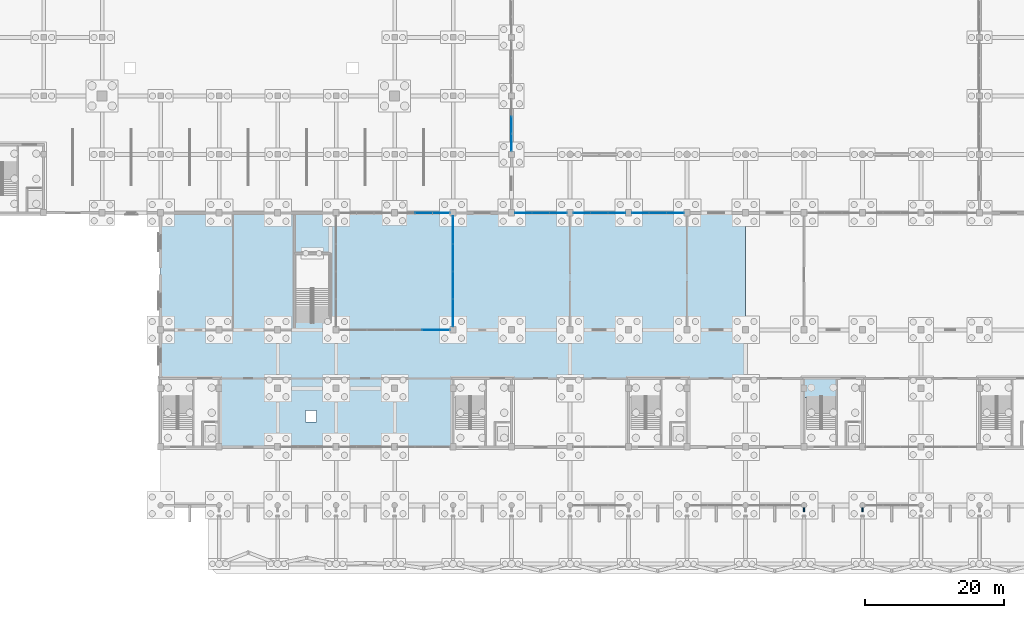
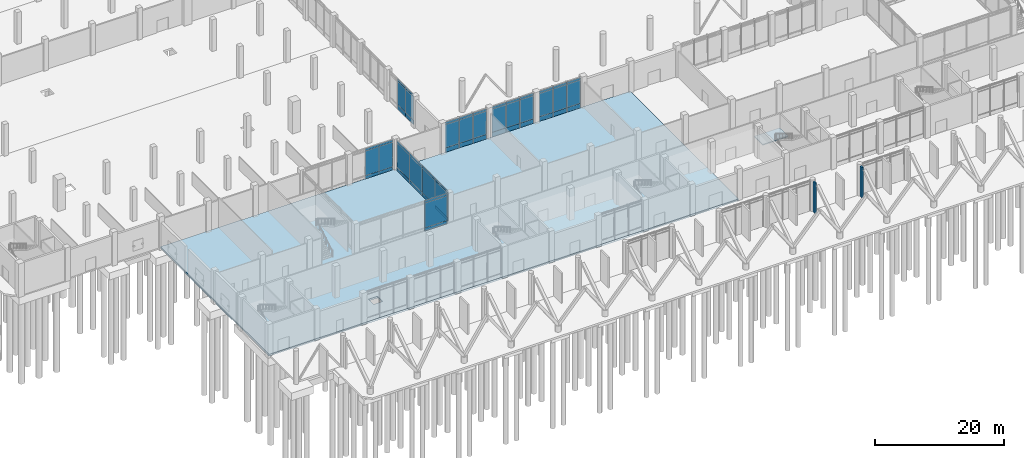
# One storey, part 42 of 72: 56 plates, 2 slabs, 8 elements without a shape of their own.
"""IFC4 building model written with IfcOpenShell, lengths in metres."""

import ifcopenshell
import ifcopenshell.guid

model = None  # the IFC model being written
_history = None  # IfcOwnerHistory: only IFC2X3 demands one
_inside = {}  # id of a spatial element -> (the spatial element, [elements in it])
_under = {}  # id of a project, library or spatial element -> (it, [spatial elements below it])
_declared = {}  # id of a project -> (the project, [libraries it declares])
_typed = {}  # id of a type object -> (the type object, [elements of that type])
_made_of = {}  # id of a material, layer set ... -> (it, [elements and type objects made of it])


def new_model(schema):
    """Start an empty IFC model of exactly this schema.

    Asked for "IFC4X3", IfcOpenShell would pick the latest addendum, in which some entities
    have other attributes; the version numbers below select the first issue.
    IFC2X3 requires an IfcOwnerHistory on every rooted entity: one is made here for all.
    """
    global model, _history
    if schema == "IFC4X3":
        model = ifcopenshell.file(schema_version=(4, 3, 0, 0))
    else:
        model = ifcopenshell.file(schema=schema)
    _inside.clear()
    _under.clear()
    _declared.clear()
    _typed.clear()
    _made_of.clear()
    _history = None
    if model.schema == "IFC2X3":
        org = make("IfcOrganization", Name="unknown")
        user = make(
            "IfcPersonAndOrganization",
            ThePerson=make("IfcPerson", FamilyName="unknown"),
            TheOrganization=org,
        )
        app = make(
            "IfcApplication",
            ApplicationDeveloper=org,
            Version="unknown",
            ApplicationFullName="unknown",
            ApplicationIdentifier="unknown",
        )
        _history = make(
            "IfcOwnerHistory",
            OwningUser=user,
            OwningApplication=app,
            ChangeAction="ADDED",
            CreationDate=0,
        )
    return model


def make(cls, **values):
    """One entity of the class cls with the attributes given. An attribute that is None is left unset."""
    return model.create_entity(
        cls, **{name: value for name, value in values.items() if value is not None}
    )


def rooted(cls, **values):
    """An entity with a GlobalId (a new one), such as an element, a storey or a relation."""
    return make(cls, GlobalId=ifcopenshell.guid.new(), OwnerHistory=_history, **values)


def si_unit(unit_type, name, prefix=None):
    """IfcSIUnit, for example si_unit("LENGTHUNIT", "METRE", prefix="MILLI")."""
    return make("IfcSIUnit", UnitType=unit_type, Prefix=prefix, Name=name)


def assignment(units):
    """IfcUnitAssignment: the units of a project."""
    return None if units is None else make("IfcUnitAssignment", Units=units)


def point(xyz):
    """IfcCartesianPoint."""
    return None if xyz is None else make("IfcCartesianPoint", Coordinates=xyz)


def direction(xyz):
    """IfcDirection."""
    return None if xyz is None else make("IfcDirection", DirectionRatios=xyz)


def frame(location, z_axis=None, x_axis=None):
    """IfcAxis2Placement3D, a coordinate frame: its origin and axes. An axis left out is left unset."""
    return make(
        "IfcAxis2Placement3D",
        Location=point(location),
        Axis=direction(z_axis),
        RefDirection=direction(x_axis),
    )


def frame_2d(location, x_axis=None):
    """IfcAxis2Placement2D, a coordinate frame in the plane: its origin and x axis."""
    return make(
        "IfcAxis2Placement2D", Location=point(location), RefDirection=direction(x_axis)
    )


def origin():
    """The frame at (0, 0, 0) with its axes left unset."""
    return frame((0.0, 0.0, 0.0))


def place(relative_to, where):
    """IfcLocalPlacement: puts the frame where relative to a parent placement (None: the world)."""
    return make(
        "IfcLocalPlacement", PlacementRelTo=relative_to, RelativePlacement=where
    )


def context(
    kind, dimensions, precision=None, world=None, true_north=None, identifier=None
):
    """IfcGeometricRepresentationContext, for example the 3D "Model" context."""
    return make(
        "IfcGeometricRepresentationContext",
        ContextIdentifier=identifier,
        ContextType=kind,
        CoordinateSpaceDimension=dimensions,
        Precision=precision,
        WorldCoordinateSystem=world,
        TrueNorth=true_north,
    )


def subcontext(parent, identifier, kind, view, scale=None):
    """IfcGeometricRepresentationSubContext, for example "Body" below "Model"."""
    return make(
        "IfcGeometricRepresentationSubContext",
        ContextIdentifier=identifier,
        ContextType=kind,
        ParentContext=parent,
        TargetScale=scale,
        TargetView=view,
    )


def project(units=None, contexts=None):
    """IfcProject with its units and contexts."""
    return rooted(
        "IfcProject",
        Name="project",
        RepresentationContexts=contexts,
        UnitsInContext=assignment(units),
    )


def spatial(cls, under=None, at=None, **own):
    """A site, building, storey or space (cls), placed at a placement, below another one or the project."""
    s = rooted(cls, ObjectPlacement=at, **own)
    if under is not None:
        _under.setdefault(under.id(), (under, []))[1].append(s)
    return s


def polyline(points):
    """IfcPolyline through the points."""
    return make("IfcPolyline", Points=[point(p) for p in points])


def profile(cls, at=None, kind="AREA", **sizes):
    """A parametric profile (cls). Its sizes go by their IFC names, for example OverallWidth=200.0."""
    return make(cls, ProfileType=kind, Position=at, **sizes)


def rectangle(**sizes):
    """IfcRectangleProfileDef."""
    return profile("IfcRectangleProfileDef", **sizes)


def outline(outer, holes=None, kind="AREA"):
    """IfcArbitraryClosedProfileDef: a profile drawn as a closed curve; with holes, ...WithVoids."""
    if holes is None:
        return make("IfcArbitraryClosedProfileDef", ProfileType=kind, OuterCurve=outer)
    return make(
        "IfcArbitraryProfileDefWithVoids",
        ProfileType=kind,
        OuterCurve=outer,
        InnerCurves=holes,
    )


def extrude(swept, where, along, depth):
    """IfcExtrudedAreaSolid: the profile swept, set in the frame where, extruded along a direction by depth."""
    return make(
        "IfcExtrudedAreaSolid",
        SweptArea=swept,
        Position=where,
        ExtrudedDirection=direction(along),
        Depth=depth,
    )


def shape(context_of_items, identifier, shape_type, items):
    """IfcShapeRepresentation: the items that make up one representation, for example the "Body"."""
    return make(
        "IfcShapeRepresentation",
        ContextOfItems=context_of_items,
        RepresentationIdentifier=identifier,
        RepresentationType=shape_type,
        Items=items,
    )


def material(Name=None, Category=None):
    """IfcMaterial."""
    return make("IfcMaterial", Name=Name, Category=Category)


def layer(
    of_material, thickness, ventilated=None, Name=None, Category=None, Priority=None
):
    """IfcMaterialLayer: one layer of a wall or slab, of a material (None: an air gap)."""
    return make(
        "IfcMaterialLayer",
        Material=of_material,
        LayerThickness=thickness,
        IsVentilated=ventilated,
        Name=Name,
        Category=Category,
        Priority=Priority,
    )


def layer_set(layers, Name=None):
    """IfcMaterialLayerSet."""
    return make("IfcMaterialLayerSet", MaterialLayers=layers, LayerSetName=Name)


def made_of(thing, what):
    """Note that an element or type object is made of a material, layer set ...; save() writes the relation."""
    if what is not None:
        _made_of.setdefault(what.id(), (what, []))[1].append(thing)
    return thing


def type_object(cls, material=None, **own):
    """A type object (cls), such as IfcWallType, which elements share."""
    return made_of(rooted(cls, **own), material)


def element(
    cls,
    number,
    at=None,
    inside=None,
    cuts=None,
    type_object=None,
    material=None,
    context=None,
    identifier="Body",
    shape_type=None,
    held_by="IfcProductDefinitionShape",
    body=None,
    shapes=None,
    **own,
):
    """One element of the class cls, such as IfcWall. Its Tag is "e" and its number.

    at: its placement. inside: the storey or other place that contains it. cuts: it is an
    opening in that element (IfcRelVoidsElement). A single representation is given by context,
    identifier, shape_type and body (its items); several are given by shapes. held_by: the class
    of the entity that holds the representations. save() writes the other relations.
    """
    e = rooted(cls, Tag="e%d" % number, ObjectPlacement=at, **own)
    if body is not None:
        shapes = [shape(context, identifier, shape_type, body)]
    if shapes is not None:
        e.Representation = make(held_by, Representations=shapes)
    if inside is not None:
        _inside.setdefault(inside.id(), (inside, []))[1].append(e)
    if cuts is not None:
        rooted(
            "IfcRelVoidsElement", RelatingBuildingElement=cuts, RelatedOpeningElement=e
        )
    if type_object is not None:
        _typed.setdefault(type_object.id(), (type_object, []))[1].append(e)
    return made_of(e, material)


def aggregate(whole, parts):
    """IfcRelAggregates: a whole, such as a stair, and the parts it consists of."""
    return rooted("IfcRelAggregates", RelatingObject=whole, RelatedObjects=parts)


def save(model, path):
    """Write the relations noted so far, then the file.

    IfcRelAggregates (storeys below a building ...), IfcRelContainedInSpatialStructure (elements
    in a storey), IfcRelDefinesByType, IfcRelAssociatesMaterial and IfcRelDeclares: one each for
    every whole, place, type object, material and project.
    """
    for whole, parts in _under.values():
        aggregate(whole, parts)
    for where, things in _inside.values():
        rooted(
            "IfcRelContainedInSpatialStructure",
            RelatedElements=things,
            RelatingStructure=where,
        )
    for kind, things in _typed.values():
        rooted("IfcRelDefinesByType", RelatedObjects=things, RelatingType=kind)
    for what, things in _made_of.values():
        rooted("IfcRelAssociatesMaterial", RelatedObjects=things, RelatingMaterial=what)
    for by, libraries in _declared.values():
        rooted("IfcRelDeclares", RelatingContext=by, RelatedDefinitions=libraries)
    model.write(path)


model = new_model("IFC4")

# Units and contexts
model_context = context("Model", 3, precision=1e-05, world=origin(), true_north=direction((0.0, 1.0)))
body_context = subcontext(model_context, "Body", "Model", "MODEL_VIEW")
ifc_project = project(units=[si_unit("LENGTHUNIT", "METRE"), si_unit("AREAUNIT", "SQUARE_METRE"), si_unit("VOLUMEUNIT", "CUBIC_METRE"), si_unit("PLANEANGLEUNIT", "RADIAN"), si_unit("MASSUNIT", "GRAM", prefix="KILO")], contexts=[model_context])

# Site, building, storey
site_placement = place(None, origin())
site = spatial("IfcSite", under=ifc_project, at=site_placement, CompositionType="ELEMENT")
building_placement = place(site_placement, origin())
building = spatial("IfcBuilding", under=site, at=building_placement, Name="Qawsi Khor Wholesale Market", CompositionType="ELEMENT")
storey_placement = place(building_placement, origin())
storey = spatial("IfcBuildingStorey", under=building, at=storey_placement, Name="L00", CompositionType="ELEMENT", Elevation=0.0)

# Slab
ifc_material_1 = material(Name="Concrete C45/55", Category="concrete")
ifc_layer_1 = layer(ifc_material_1, 0.360107421875, Name="Concrete C45/55")
ifc_layer_set_1 = layer_set([ifc_layer_1], Name="Concrete C45/55")
slab_type_1 = type_object("IfcSlabType", Name="Ground-Bearing Slab 360 C45/55", PredefinedType="BASESLAB", material=ifc_layer_set_1)
slab_1_placement = place(storey_placement, frame((0.0, 0.0, -0.360107421875)))
element("IfcSlab", 1, at=slab_1_placement, inside=storey, type_object=slab_type_1, Name="SLB-L00-SWING-W", PredefinedType="BASESLAB", context=body_context, shape_type="SweptSolid", body=[
    extrude(outline(polyline([(25.199951171875, 42.0), (109.199951171875, 42.0), (109.199951171875, 8.39990234375), (25.199951171875, 8.39990234375), (25.199951171875, 42.0)]), holes=[polyline([(47.60009765625, 12.0), (47.60009765625, 13.60009765625), (46.0, 13.60009765625), (46.0, 12.0), (47.60009765625, 12.0)])]), origin(), (0.0, 0.0, 1.0), 0.360107421875),
])

# Curtain wall, plate
ifc_material_2 = material(Name="Aluminium Anodised Bronze", Category="aluminium")
ifc_layer_2 = layer(ifc_material_2, 0.179931640625, Name="Aluminium Anodised Bronze")
ifc_layer_set_2 = layer_set([ifc_layer_2], Name="Aluminium Anodised Bronze")
curtain_wall_type_1 = type_object("IfcCurtainWallType", Name="Atrium Full-Height Curtain Wall CW-02", PredefinedType="NOTDEFINED", material=ifc_layer_set_2)
curtain_wall_1_placement = place(storey_placement, origin())
curtain_wall_1 = element("IfcCurtainWall", 2, at=curtain_wall_1_placement, inside=storey, type_object=curtain_wall_type_1, Name="Curtain wall CW-CW-02-L00-011", PredefinedType="NOTDEFINED")
ifc_material_3 = material(Name="Anodised Aluminium Spandrel", Category="aluminium")
ifc_layer_3 = layer(ifc_material_3, 0.06494140625, Name="Anodised Aluminium Spandrel")
ifc_layer_set_3 = layer_set([ifc_layer_3], Name="Anodised Aluminium Spandrel")
plate_type_1 = type_object("IfcPlateType", Name="Insulated Spandrel Panel CW-02 65mm", PredefinedType="CURTAIN_PANEL", material=ifc_layer_set_3)
plate_1_placement = place(storey_placement, frame((62.75244140625, 25.199951171875, 0.0048828125), z_axis=(0.0, 0.0, 1.0), x_axis=(1.0, 0.0, 0.0)))
plate_1 = element("IfcPlate", 3, at=plate_1_placement, type_object=plate_type_1, Name="Curtain panel CW-CW-02-L00-011-P0_03", PredefinedType="CURTAIN_PANEL", context=body_context, shape_type="SweptSolid", body=[
    extrude(rectangle(XDim=3.95263671875, YDim=0.06494140625, at=frame_2d((1.976318359375, 0.0))), origin(), (0.0, 0.0, 1.0), 0.590087890625),
])

# Curtain wall, plates
curtain_wall_2_placement = place(storey_placement, origin())
curtain_wall_2 = element("IfcCurtainWall", 4, at=curtain_wall_2_placement, inside=storey, type_object=curtain_wall_type_1, Name="Curtain wall CW-CW-02-L00-013", PredefinedType="NOTDEFINED")
plate_2_placement = place(storey_placement, frame((61.764892578125, 42.0, 0.0048828125), z_axis=(0.0, 0.0, 1.0), x_axis=(1.0, 0.0, 0.0)))
plate_2 = element("IfcPlate", 5, at=plate_2_placement, type_object=plate_type_1, Name="Curtain panel CW-CW-02-L00-013-P0_01", PredefinedType="CURTAIN_PANEL", context=body_context, shape_type="SweptSolid", body=[
    extrude(rectangle(XDim=2.47021484375, YDim=0.06494140625, at=frame_2d((1.235107421875, 0.0))), origin(), (0.0, 0.0, 1.0), 0.590087890625),
])
plate_3_placement = place(storey_placement, frame((64.235107421875, 42.0, 0.0048828125), z_axis=(0.0, 0.0, 1.0), x_axis=(1.0, 0.0, 0.0)))
plate_3 = element("IfcPlate", 6, at=plate_3_placement, type_object=plate_type_1, Name="Curtain panel CW-CW-02-L00-013-P0_02", PredefinedType="CURTAIN_PANEL", context=body_context, shape_type="SweptSolid", body=[
    extrude(rectangle(XDim=2.469970703125, YDim=0.06494140625, at=frame_2d((1.23486328125, 0.0))), origin(), (0.0, 0.0, 1.0), 0.590087890625),
])

curtain_wall_3_placement = place(storey_placement, origin())
curtain_wall_3 = element("IfcCurtainWall", 7, at=curtain_wall_3_placement, inside=storey, type_object=curtain_wall_type_1, Name="Curtain wall CW-CW-02-L00-015", PredefinedType="NOTDEFINED")
plate_4_placement = place(storey_placement, frame((67.199951171875, 25.695068359375, 0.0048828125), z_axis=(0.0, 0.0, 1.0), x_axis=(0.0, 1.0, 0.0)))
plate_4 = element("IfcPlate", 8, at=plate_4_placement, type_object=plate_type_1, Name="Curtain panel CW-CW-02-L00-015-P0_00", PredefinedType="CURTAIN_PANEL", context=body_context, shape_type="SweptSolid", body=[
    extrude(rectangle(XDim=3.952392578125, YDim=0.06494140625, at=frame_2d((1.97607421875, 0.0))), origin(), (0.0, 0.0, 1.0), 0.590087890625),
])
plate_5_placement = place(storey_placement, frame((67.199951171875, 29.6474609375, 0.0048828125), z_axis=(0.0, 0.0, 1.0), x_axis=(0.0, 1.0, 0.0)))
plate_5 = element("IfcPlate", 9, at=plate_5_placement, type_object=plate_type_1, Name="Curtain panel CW-CW-02-L00-015-P0_01", PredefinedType="CURTAIN_PANEL", context=body_context, shape_type="SweptSolid", body=[
    extrude(rectangle(XDim=3.95263671875, YDim=0.06494140625, at=frame_2d((1.976318359375, 0.0))), origin(), (0.0, 0.0, 1.0), 0.590087890625),
])
plate_6_placement = place(storey_placement, frame((67.199951171875, 33.60009765625, 0.0048828125), z_axis=(0.0, 0.0, 1.0), x_axis=(0.0, 1.0, 0.0)))
plate_6 = element("IfcPlate", 10, at=plate_6_placement, type_object=plate_type_1, Name="Curtain panel CW-CW-02-L00-015-P0_02", PredefinedType="CURTAIN_PANEL", context=body_context, shape_type="SweptSolid", body=[
    extrude(rectangle(XDim=3.952392578125, YDim=0.06494140625, at=frame_2d((1.97607421875, 0.0))), origin(), (0.0, 0.0, 1.0), 0.590087890625),
])
plate_7_placement = place(storey_placement, frame((67.199951171875, 37.552490234375, 0.0048828125), z_axis=(0.0, 0.0, 1.0), x_axis=(0.0, 1.0, 0.0)))
plate_7 = element("IfcPlate", 11, at=plate_7_placement, type_object=plate_type_1, Name="Curtain panel CW-CW-02-L00-015-P0_03", PredefinedType="CURTAIN_PANEL", context=body_context, shape_type="SweptSolid", body=[
    extrude(rectangle(XDim=3.952392578125, YDim=0.06494140625, at=frame_2d((1.97607421875, 0.0))), origin(), (0.0, 0.0, 1.0), 0.590087890625),
])

ifc_layer_4 = layer(ifc_material_2, 0.199951171875, Name="Aluminium Anodised Bronze")
ifc_layer_set_4 = layer_set([ifc_layer_4], Name="Aluminium Anodised Bronze")
curtain_wall_type_2 = type_object("IfcCurtainWallType", Name="Trading Hall North-Light Curtain Wall CW-03", PredefinedType="NOTDEFINED", material=ifc_layer_set_4)
curtain_wall_4_placement = place(storey_placement, origin())
curtain_wall_4 = element("IfcCurtainWall", 12, at=curtain_wall_4_placement, inside=storey, type_object=curtain_wall_type_2, Name="Curtain wall CW-CW-03-L00-072", PredefinedType="NOTDEFINED")
ifc_layer_5 = layer(ifc_material_3, 0.074951171875, Name="Anodised Aluminium Spandrel")
ifc_layer_set_5 = layer_set([ifc_layer_5], Name="Anodised Aluminium Spandrel")
plate_type_2 = type_object("IfcPlateType", Name="Insulated Spandrel Panel CW-03 75mm", PredefinedType="CURTAIN_PANEL", material=ifc_layer_set_5)
plate_8_placement = place(storey_placement, frame((75.60009765625, 50.8974609375, 0.0048828125), z_axis=(0.0, 0.0, 1.0), x_axis=(0.0, 1.0, 0.0)))
plate_8 = element("IfcPlate", 13, at=plate_8_placement, type_object=plate_type_2, Name="Curtain panel CW-CW-03-L00-072-P0_00", PredefinedType="CURTAIN_PANEL", context=body_context, shape_type="SweptSolid", body=[
    extrude(rectangle(XDim=2.46826171875, YDim=0.074951171875, at=frame_2d((1.234130859375, 0.0))), origin(), (0.0, 0.0, 1.0), 0.840087890625),
])
plate_9_placement = place(storey_placement, frame((75.60009765625, 53.36572265625, 0.0048828125), z_axis=(0.0, 0.0, 1.0), x_axis=(0.0, 1.0, 0.0)))
plate_9 = element("IfcPlate", 14, at=plate_9_placement, type_object=plate_type_2, Name="Curtain panel CW-CW-03-L00-072-P0_01", PredefinedType="CURTAIN_PANEL", context=body_context, shape_type="SweptSolid", body=[
    extrude(rectangle(XDim=2.468505859375, YDim=0.074951171875, at=frame_2d((1.234375, 0.0))), origin(), (0.0, 0.0, 1.0), 0.840087890625),
])

ifc_layer_6 = layer(ifc_material_2, 0.169921875, Name="Aluminium Anodised Bronze")
ifc_layer_set_6 = layer_set([ifc_layer_6], Name="Aluminium Anodised Bronze")
curtain_wall_type_3 = type_object("IfcCurtainWallType", Name="Central Court Gallery Curtain Wall CW-05", PredefinedType="NOTDEFINED", material=ifc_layer_set_6)
curtain_wall_5_placement = place(storey_placement, origin())
curtain_wall_5 = element("IfcCurtainWall", 15, at=curtain_wall_5_placement, inside=storey, type_object=curtain_wall_type_3, Name="Curtain wall CW-CW-05-L00-054", PredefinedType="NOTDEFINED")
ifc_layer_7 = layer(ifc_material_3, 0.094970703125, Name="Anodised Aluminium Spandrel")
ifc_layer_set_7 = layer_set([ifc_layer_7], Name="Anodised Aluminium Spandrel")
plate_type_3 = type_object("IfcPlateType", Name="Insulated Spandrel Panel CW-05 95mm", PredefinedType="CURTAIN_PANEL", material=ifc_layer_set_7)
plate_10_placement = place(storey_placement, frame((76.10009765625, 42.0, 0.0048828125), z_axis=(0.0, 0.0, 1.0), x_axis=(1.0, 0.0, 0.0)))
plate_10 = element("IfcPlate", 16, at=plate_10_placement, type_object=plate_type_3, Name="Curtain panel CW-CW-05-L00-054-P0_00", PredefinedType="CURTAIN_PANEL", context=body_context, shape_type="SweptSolid", body=[
    extrude(rectangle(XDim=2.466552734375, YDim=0.094970703125, at=frame_2d((1.2333984375, 0.0))), origin(), (0.0, 0.0, 1.0), 0.840087890625),
])
plate_11_placement = place(storey_placement, frame((78.566650390625, 42.0, 0.0048828125), z_axis=(0.0, 0.0, 1.0), x_axis=(1.0, 0.0, 0.0)))
plate_11 = element("IfcPlate", 17, at=plate_11_placement, type_object=plate_type_3, Name="Curtain panel CW-CW-05-L00-054-P0_01", PredefinedType="CURTAIN_PANEL", context=body_context, shape_type="SweptSolid", body=[
    extrude(rectangle(XDim=2.466552734375, YDim=0.094970703125, at=frame_2d((1.2333984375, 0.0))), origin(), (0.0, 0.0, 1.0), 0.840087890625),
])
plate_12_placement = place(storey_placement, frame((81.033203125, 42.0, 0.0048828125), z_axis=(0.0, 0.0, 1.0), x_axis=(1.0, 0.0, 0.0)))
plate_12 = element("IfcPlate", 18, at=plate_12_placement, type_object=plate_type_3, Name="Curtain panel CW-CW-05-L00-054-P0_02", PredefinedType="CURTAIN_PANEL", context=body_context, shape_type="SweptSolid", body=[
    extrude(rectangle(XDim=2.466796875, YDim=0.094970703125, at=frame_2d((1.2333984375, 0.0))), origin(), (0.0, 0.0, 1.0), 0.840087890625),
])

curtain_wall_6_placement = place(storey_placement, origin())
curtain_wall_6 = element("IfcCurtainWall", 19, at=curtain_wall_6_placement, inside=storey, type_object=curtain_wall_type_3, Name="Curtain wall CW-CW-05-L00-055", PredefinedType="NOTDEFINED")
plate_13_placement = place(storey_placement, frame((84.5, 42.0, 0.0048828125), z_axis=(0.0, 0.0, 1.0), x_axis=(1.0, 0.0, 0.0)))
plate_13 = element("IfcPlate", 20, at=plate_13_placement, type_object=plate_type_3, Name="Curtain panel CW-CW-05-L00-055-P0_00", PredefinedType="CURTAIN_PANEL", context=body_context, shape_type="SweptSolid", body=[
    extrude(rectangle(XDim=2.466796875, YDim=0.094970703125, at=frame_2d((1.2333984375, 0.0))), origin(), (0.0, 0.0, 1.0), 0.840087890625),
])
plate_14_placement = place(storey_placement, frame((86.966796875, 42.0, 0.0048828125), z_axis=(0.0, 0.0, 1.0), x_axis=(1.0, 0.0, 0.0)))
plate_14 = element("IfcPlate", 21, at=plate_14_placement, type_object=plate_type_3, Name="Curtain panel CW-CW-05-L00-055-P0_01", PredefinedType="CURTAIN_PANEL", context=body_context, shape_type="SweptSolid", body=[
    extrude(rectangle(XDim=2.466552734375, YDim=0.094970703125, at=frame_2d((1.2333984375, 0.0))), origin(), (0.0, 0.0, 1.0), 0.840087890625),
])
plate_15_placement = place(storey_placement, frame((89.433349609375, 42.0, 0.0048828125), z_axis=(0.0, 0.0, 1.0), x_axis=(1.0, 0.0, 0.0)))
plate_15 = element("IfcPlate", 22, at=plate_15_placement, type_object=plate_type_3, Name="Curtain panel CW-CW-05-L00-055-P0_02", PredefinedType="CURTAIN_PANEL", context=body_context, shape_type="SweptSolid", body=[
    extrude(rectangle(XDim=2.466552734375, YDim=0.094970703125, at=frame_2d((1.2333984375, 0.0))), origin(), (0.0, 0.0, 1.0), 0.840087890625),
])

curtain_wall_7_placement = place(storey_placement, origin())
curtain_wall_7 = element("IfcCurtainWall", 23, at=curtain_wall_7_placement, inside=storey, type_object=curtain_wall_type_3, Name="Curtain wall CW-CW-05-L00-056", PredefinedType="NOTDEFINED")
plate_16_placement = place(storey_placement, frame((92.89990234375, 42.0, 0.0048828125), z_axis=(0.0, 0.0, 1.0), x_axis=(1.0, 0.0, 0.0)))
plate_16 = element("IfcPlate", 24, at=plate_16_placement, type_object=plate_type_3, Name="Curtain panel CW-CW-05-L00-056-P0_00", PredefinedType="CURTAIN_PANEL", context=body_context, shape_type="SweptSolid", body=[
    extrude(rectangle(XDim=2.466796875, YDim=0.094970703125, at=frame_2d((1.2333984375, 0.0))), origin(), (0.0, 0.0, 1.0), 0.840087890625),
])
plate_17_placement = place(storey_placement, frame((95.36669921875, 42.0, 0.0048828125), z_axis=(0.0, 0.0, 1.0), x_axis=(1.0, 0.0, 0.0)))
plate_17 = element("IfcPlate", 25, at=plate_17_placement, type_object=plate_type_3, Name="Curtain panel CW-CW-05-L00-056-P0_01", PredefinedType="CURTAIN_PANEL", context=body_context, shape_type="SweptSolid", body=[
    extrude(rectangle(XDim=2.466552734375, YDim=0.094970703125, at=frame_2d((1.2333984375, 0.0))), origin(), (0.0, 0.0, 1.0), 0.840087890625),
])
plate_18_placement = place(storey_placement, frame((97.833251953125, 42.0, 0.0048828125), z_axis=(0.0, 0.0, 1.0), x_axis=(1.0, 0.0, 0.0)))
plate_18 = element("IfcPlate", 26, at=plate_18_placement, type_object=plate_type_3, Name="Curtain panel CW-CW-05-L00-056-P0_02", PredefinedType="CURTAIN_PANEL", context=body_context, shape_type="SweptSolid", body=[
    extrude(rectangle(XDim=2.466796875, YDim=0.094970703125, at=frame_2d((1.2333984375, 0.0))), origin(), (0.0, 0.0, 1.0), 0.840087890625),
])

# Plates
ifc_material_4 = material(Name="Concrete C40/50", Category="concrete")
ifc_layer_8 = layer(ifc_material_4, 0.260009765625, Name="Concrete C40/50")
ifc_layer_set_8 = layer_set([ifc_layer_8], Name="Concrete C40/50")
plate_type_4 = type_object("IfcPlateType", Name="Sculpted Concrete Solar Buttress Fin 260", PredefinedType="SHEET", material=ifc_layer_set_8)
for number, where, z_axis, x_axis, name in (
    (27, (117.60009765625, -0.949951171875, 0.0), (0.0, 0.0, 1.0), (0.0, 1.0, 0.0), "Boulevard concrete solar buttress fin L00-22"),
    (28, (126.0, -0.949951171875, 0.0), (0.0, 0.0, 1.0), (0.0, 1.0, 0.0), "Boulevard concrete solar buttress fin L00-24"),
):
    element("IfcPlate", number, at=place(storey_placement, frame(where, z_axis=z_axis, x_axis=x_axis)), inside=storey, type_object=plate_type_4, Name=name, PredefinedType="SHEET", context=body_context, shape_type="SweptSolid", body=[
        extrude(rectangle(XDim=0.58984375, YDim=0.260009765625, at=frame_2d((0.294921875, 0.0))), origin(), (0.0, 0.0, 1.0), 5.719970703125),
    ])

# Plate
ifc_material_5 = material(Name="Tempered Low-E Solar Glass", Category="glass")
ifc_layer_9 = layer(ifc_material_5, 0.031982421875, Name="Tempered Low-E Solar Glass")
ifc_layer_set_9 = layer_set([ifc_layer_9], Name="Tempered Low-E Solar Glass")
plate_type_5 = type_object("IfcPlateType", Name="Solar Double-Glazed Unit CW-02 32mm", PredefinedType="CURTAIN_PANEL", material=ifc_layer_set_9)
plate_19_placement = place(storey_placement, frame((62.75244140625, 25.199951171875, 0.60498046875), z_axis=(0.0, 0.0, 1.0), x_axis=(1.0, 0.0, 0.0)))
plate_19 = element("IfcPlate", 29, at=plate_19_placement, type_object=plate_type_5, Name="Curtain panel CW-CW-02-L00-011-P1_03", PredefinedType="CURTAIN_PANEL", context=body_context, shape_type="SweptSolid", body=[
    extrude(rectangle(XDim=3.95263671875, YDim=0.031982421875, at=frame_2d((1.976318359375, 0.0))), origin(), (0.0, 0.0, 1.0), 4.659912109375),
])

plate_20_placement = place(storey_placement, frame((62.75244140625, 25.199951171875, 5.27490234375), z_axis=(0.0, 0.0, 1.0), x_axis=(1.0, 0.0, 0.0)))
plate_20 = element("IfcPlate", 30, at=plate_20_placement, type_object=plate_type_5, Name="Curtain panel CW-CW-02-L00-011-P2_03", PredefinedType="CURTAIN_PANEL", context=body_context, shape_type="SweptSolid", body=[
    extrude(rectangle(XDim=3.95263671875, YDim=0.031982421875, at=frame_2d((1.976318359375, 0.0))), origin(), (0.0, 0.0, 1.0), 0.440185546875),
])

aggregate(curtain_wall_1, [plate_1, plate_19, plate_20])

plate_21_placement = place(storey_placement, frame((61.764892578125, 42.0, 0.60498046875), z_axis=(0.0, 0.0, 1.0), x_axis=(1.0, 0.0, 0.0)))
plate_21 = element("IfcPlate", 31, at=plate_21_placement, type_object=plate_type_5, Name="Curtain panel CW-CW-02-L00-013-P1_01", PredefinedType="CURTAIN_PANEL", context=body_context, shape_type="SweptSolid", body=[
    extrude(rectangle(XDim=2.47021484375, YDim=0.031982421875, at=frame_2d((1.235107421875, 0.0))), origin(), (0.0, 0.0, 1.0), 4.659912109375),
])

plate_22_placement = place(storey_placement, frame((64.235107421875, 42.0, 0.60498046875), z_axis=(0.0, 0.0, 1.0), x_axis=(1.0, 0.0, 0.0)))
plate_22 = element("IfcPlate", 32, at=plate_22_placement, type_object=plate_type_5, Name="Curtain panel CW-CW-02-L00-013-P1_02", PredefinedType="CURTAIN_PANEL", context=body_context, shape_type="SweptSolid", body=[
    extrude(rectangle(XDim=2.469970703125, YDim=0.031982421875, at=frame_2d((1.23486328125, 0.0))), origin(), (0.0, 0.0, 1.0), 4.659912109375),
])

plate_23_placement = place(storey_placement, frame((61.764892578125, 42.0, 5.27490234375), z_axis=(0.0, 0.0, 1.0), x_axis=(1.0, 0.0, 0.0)))
plate_23 = element("IfcPlate", 33, at=plate_23_placement, type_object=plate_type_5, Name="Curtain panel CW-CW-02-L00-013-P2_01", PredefinedType="CURTAIN_PANEL", context=body_context, shape_type="SweptSolid", body=[
    extrude(rectangle(XDim=2.47021484375, YDim=0.031982421875, at=frame_2d((1.235107421875, 0.0))), origin(), (0.0, 0.0, 1.0), 0.440185546875),
])

plate_24_placement = place(storey_placement, frame((64.235107421875, 42.0, 5.27490234375), z_axis=(0.0, 0.0, 1.0), x_axis=(1.0, 0.0, 0.0)))
plate_24 = element("IfcPlate", 34, at=plate_24_placement, type_object=plate_type_5, Name="Curtain panel CW-CW-02-L00-013-P2_02", PredefinedType="CURTAIN_PANEL", context=body_context, shape_type="SweptSolid", body=[
    extrude(rectangle(XDim=2.469970703125, YDim=0.031982421875, at=frame_2d((1.23486328125, 0.0))), origin(), (0.0, 0.0, 1.0), 0.440185546875),
])

aggregate(curtain_wall_2, [plate_2, plate_3, plate_21, plate_22, plate_23, plate_24])

plate_25_placement = place(storey_placement, frame((67.199951171875, 25.695068359375, 0.60498046875), z_axis=(0.0, 0.0, 1.0), x_axis=(0.0, 1.0, 0.0)))
plate_25 = element("IfcPlate", 35, at=plate_25_placement, type_object=plate_type_5, Name="Curtain panel CW-CW-02-L00-015-P1_00", PredefinedType="CURTAIN_PANEL", context=body_context, shape_type="SweptSolid", body=[
    extrude(rectangle(XDim=3.952392578125, YDim=0.031982421875, at=frame_2d((1.97607421875, 0.0))), origin(), (0.0, 0.0, 1.0), 4.659912109375),
])

plate_26_placement = place(storey_placement, frame((67.199951171875, 29.6474609375, 0.60498046875), z_axis=(0.0, 0.0, 1.0), x_axis=(0.0, 1.0, 0.0)))
plate_26 = element("IfcPlate", 36, at=plate_26_placement, type_object=plate_type_5, Name="Curtain panel CW-CW-02-L00-015-P1_01", PredefinedType="CURTAIN_PANEL", context=body_context, shape_type="SweptSolid", body=[
    extrude(rectangle(XDim=3.95263671875, YDim=0.031982421875, at=frame_2d((1.976318359375, 0.0))), origin(), (0.0, 0.0, 1.0), 4.659912109375),
])

plate_27_placement = place(storey_placement, frame((67.199951171875, 33.60009765625, 0.60498046875), z_axis=(0.0, 0.0, 1.0), x_axis=(0.0, 1.0, 0.0)))
plate_27 = element("IfcPlate", 37, at=plate_27_placement, type_object=plate_type_5, Name="Curtain panel CW-CW-02-L00-015-P1_02", PredefinedType="CURTAIN_PANEL", context=body_context, shape_type="SweptSolid", body=[
    extrude(rectangle(XDim=3.952392578125, YDim=0.031982421875, at=frame_2d((1.97607421875, 0.0))), origin(), (0.0, 0.0, 1.0), 4.659912109375),
])

plate_28_placement = place(storey_placement, frame((67.199951171875, 37.552490234375, 0.60498046875), z_axis=(0.0, 0.0, 1.0), x_axis=(0.0, 1.0, 0.0)))
plate_28 = element("IfcPlate", 38, at=plate_28_placement, type_object=plate_type_5, Name="Curtain panel CW-CW-02-L00-015-P1_03", PredefinedType="CURTAIN_PANEL", context=body_context, shape_type="SweptSolid", body=[
    extrude(rectangle(XDim=3.952392578125, YDim=0.031982421875, at=frame_2d((1.97607421875, 0.0))), origin(), (0.0, 0.0, 1.0), 4.659912109375),
])

plate_29_placement = place(storey_placement, frame((67.199951171875, 25.695068359375, 5.27490234375), z_axis=(0.0, 0.0, 1.0), x_axis=(0.0, 1.0, 0.0)))
plate_29 = element("IfcPlate", 39, at=plate_29_placement, type_object=plate_type_5, Name="Curtain panel CW-CW-02-L00-015-P2_00", PredefinedType="CURTAIN_PANEL", context=body_context, shape_type="SweptSolid", body=[
    extrude(rectangle(XDim=3.952392578125, YDim=0.031982421875, at=frame_2d((1.97607421875, 0.0))), origin(), (0.0, 0.0, 1.0), 0.440185546875),
])

plate_30_placement = place(storey_placement, frame((67.199951171875, 29.6474609375, 5.27490234375), z_axis=(0.0, 0.0, 1.0), x_axis=(0.0, 1.0, 0.0)))
plate_30 = element("IfcPlate", 40, at=plate_30_placement, type_object=plate_type_5, Name="Curtain panel CW-CW-02-L00-015-P2_01", PredefinedType="CURTAIN_PANEL", context=body_context, shape_type="SweptSolid", body=[
    extrude(rectangle(XDim=3.95263671875, YDim=0.031982421875, at=frame_2d((1.976318359375, 0.0))), origin(), (0.0, 0.0, 1.0), 0.440185546875),
])

plate_31_placement = place(storey_placement, frame((67.199951171875, 33.60009765625, 5.27490234375), z_axis=(0.0, 0.0, 1.0), x_axis=(0.0, 1.0, 0.0)))
plate_31 = element("IfcPlate", 41, at=plate_31_placement, type_object=plate_type_5, Name="Curtain panel CW-CW-02-L00-015-P2_02", PredefinedType="CURTAIN_PANEL", context=body_context, shape_type="SweptSolid", body=[
    extrude(rectangle(XDim=3.952392578125, YDim=0.031982421875, at=frame_2d((1.97607421875, 0.0))), origin(), (0.0, 0.0, 1.0), 0.440185546875),
])

plate_32_placement = place(storey_placement, frame((67.199951171875, 37.552490234375, 5.27490234375), z_axis=(0.0, 0.0, 1.0), x_axis=(0.0, 1.0, 0.0)))
plate_32 = element("IfcPlate", 42, at=plate_32_placement, type_object=plate_type_5, Name="Curtain panel CW-CW-02-L00-015-P2_03", PredefinedType="CURTAIN_PANEL", context=body_context, shape_type="SweptSolid", body=[
    extrude(rectangle(XDim=3.952392578125, YDim=0.031982421875, at=frame_2d((1.97607421875, 0.0))), origin(), (0.0, 0.0, 1.0), 0.440185546875),
])

aggregate(curtain_wall_3, [plate_4, plate_5, plate_6, plate_7, plate_25, plate_26, plate_27, plate_28, plate_29, plate_30, plate_31, plate_32])

ifc_layer_10 = layer(ifc_material_5, 0.0419921875, Name="Tempered Low-E Solar Glass")
ifc_layer_set_10 = layer_set([ifc_layer_10], Name="Tempered Low-E Solar Glass")
plate_type_6 = type_object("IfcPlateType", Name="Solar Double-Glazed Unit CW-03 42mm", PredefinedType="CURTAIN_PANEL", material=ifc_layer_set_10)
plate_33_placement = place(storey_placement, frame((75.60009765625, 50.8974609375, 0.85498046875), z_axis=(0.0, 0.0, 1.0), x_axis=(0.0, 1.0, 0.0)))
plate_33 = element("IfcPlate", 43, at=plate_33_placement, type_object=plate_type_6, Name="Curtain panel CW-CW-03-L00-072-P1_00", PredefinedType="CURTAIN_PANEL", context=body_context, shape_type="SweptSolid", body=[
    extrude(rectangle(XDim=2.46826171875, YDim=0.0419921875, at=frame_2d((1.234130859375, 0.0))), origin(), (0.0, 0.0, 1.0), 4.419921875),
])

plate_34_placement = place(storey_placement, frame((75.60009765625, 53.36572265625, 0.85498046875), z_axis=(0.0, 0.0, 1.0), x_axis=(0.0, 1.0, 0.0)))
plate_34 = element("IfcPlate", 44, at=plate_34_placement, type_object=plate_type_6, Name="Curtain panel CW-CW-03-L00-072-P1_01", PredefinedType="CURTAIN_PANEL", context=body_context, shape_type="SweptSolid", body=[
    extrude(rectangle(XDim=2.468505859375, YDim=0.0419921875, at=frame_2d((1.234375, 0.0))), origin(), (0.0, 0.0, 1.0), 4.419921875),
])

plate_35_placement = place(storey_placement, frame((75.60009765625, 50.8974609375, 5.284912109375), z_axis=(0.0, 0.0, 1.0), x_axis=(0.0, 1.0, 0.0)))
plate_35 = element("IfcPlate", 45, at=plate_35_placement, type_object=plate_type_6, Name="Curtain panel CW-CW-03-L00-072-P2_00", PredefinedType="CURTAIN_PANEL", context=body_context, shape_type="SweptSolid", body=[
    extrude(rectangle(XDim=2.46826171875, YDim=0.0419921875, at=frame_2d((1.234130859375, 0.0))), origin(), (0.0, 0.0, 1.0), 0.440185546875),
])

plate_36_placement = place(storey_placement, frame((75.60009765625, 53.36572265625, 5.284912109375), z_axis=(0.0, 0.0, 1.0), x_axis=(0.0, 1.0, 0.0)))
plate_36 = element("IfcPlate", 46, at=plate_36_placement, type_object=plate_type_6, Name="Curtain panel CW-CW-03-L00-072-P2_01", PredefinedType="CURTAIN_PANEL", context=body_context, shape_type="SweptSolid", body=[
    extrude(rectangle(XDim=2.468505859375, YDim=0.0419921875, at=frame_2d((1.234375, 0.0))), origin(), (0.0, 0.0, 1.0), 0.440185546875),
])

aggregate(curtain_wall_4, [plate_8, plate_9, plate_33, plate_34, plate_35, plate_36])

ifc_layer_11 = layer(ifc_material_5, 0.035888671875, Name="Tempered Low-E Solar Glass")
ifc_layer_set_11 = layer_set([ifc_layer_11], Name="Tempered Low-E Solar Glass")
plate_type_7 = type_object("IfcPlateType", Name="Solar Double-Glazed Unit CW-05 36mm", PredefinedType="CURTAIN_PANEL", material=ifc_layer_set_11)
plate_37_placement = place(storey_placement, frame((76.10009765625, 42.0, 0.85498046875), z_axis=(0.0, 0.0, 1.0), x_axis=(1.0, 0.0, 0.0)))
plate_37 = element("IfcPlate", 47, at=plate_37_placement, type_object=plate_type_7, Name="Curtain panel CW-CW-05-L00-054-P1_00", PredefinedType="CURTAIN_PANEL", context=body_context, shape_type="SweptSolid", body=[
    extrude(rectangle(XDim=2.466552734375, YDim=0.035888671875, at=frame_2d((1.2333984375, 0.0))), origin(), (0.0, 0.0, 1.0), 4.409912109375),
])

plate_38_placement = place(storey_placement, frame((78.566650390625, 42.0, 0.85498046875), z_axis=(0.0, 0.0, 1.0), x_axis=(1.0, 0.0, 0.0)))
plate_38 = element("IfcPlate", 48, at=plate_38_placement, type_object=plate_type_7, Name="Curtain panel CW-CW-05-L00-054-P1_01", PredefinedType="CURTAIN_PANEL", context=body_context, shape_type="SweptSolid", body=[
    extrude(rectangle(XDim=2.466552734375, YDim=0.035888671875, at=frame_2d((1.2333984375, 0.0))), origin(), (0.0, 0.0, 1.0), 4.409912109375),
])

plate_39_placement = place(storey_placement, frame((81.033203125, 42.0, 0.85498046875), z_axis=(0.0, 0.0, 1.0), x_axis=(1.0, 0.0, 0.0)))
plate_39 = element("IfcPlate", 49, at=plate_39_placement, type_object=plate_type_7, Name="Curtain panel CW-CW-05-L00-054-P1_02", PredefinedType="CURTAIN_PANEL", context=body_context, shape_type="SweptSolid", body=[
    extrude(rectangle(XDim=2.466796875, YDim=0.035888671875, at=frame_2d((1.2333984375, 0.0))), origin(), (0.0, 0.0, 1.0), 4.409912109375),
])

plate_40_placement = place(storey_placement, frame((76.10009765625, 42.0, 5.27490234375), z_axis=(0.0, 0.0, 1.0), x_axis=(1.0, 0.0, 0.0)))
plate_40 = element("IfcPlate", 50, at=plate_40_placement, type_object=plate_type_7, Name="Curtain panel CW-CW-05-L00-054-P2_00", PredefinedType="CURTAIN_PANEL", context=body_context, shape_type="SweptSolid", body=[
    extrude(rectangle(XDim=2.466552734375, YDim=0.035888671875, at=frame_2d((1.2333984375, 0.0))), origin(), (0.0, 0.0, 1.0), 0.440185546875),
])

plate_41_placement = place(storey_placement, frame((78.566650390625, 42.0, 5.27490234375), z_axis=(0.0, 0.0, 1.0), x_axis=(1.0, 0.0, 0.0)))
plate_41 = element("IfcPlate", 51, at=plate_41_placement, type_object=plate_type_7, Name="Curtain panel CW-CW-05-L00-054-P2_01", PredefinedType="CURTAIN_PANEL", context=body_context, shape_type="SweptSolid", body=[
    extrude(rectangle(XDim=2.466552734375, YDim=0.035888671875, at=frame_2d((1.2333984375, 0.0))), origin(), (0.0, 0.0, 1.0), 0.440185546875),
])

plate_42_placement = place(storey_placement, frame((81.033203125, 42.0, 5.27490234375), z_axis=(0.0, 0.0, 1.0), x_axis=(1.0, 0.0, 0.0)))
plate_42 = element("IfcPlate", 52, at=plate_42_placement, type_object=plate_type_7, Name="Curtain panel CW-CW-05-L00-054-P2_02", PredefinedType="CURTAIN_PANEL", context=body_context, shape_type="SweptSolid", body=[
    extrude(rectangle(XDim=2.466796875, YDim=0.035888671875, at=frame_2d((1.2333984375, 0.0))), origin(), (0.0, 0.0, 1.0), 0.440185546875),
])

aggregate(curtain_wall_5, [plate_10, plate_11, plate_12, plate_37, plate_38, plate_39, plate_40, plate_41, plate_42])

plate_43_placement = place(storey_placement, frame((84.5, 42.0, 0.85498046875), z_axis=(0.0, 0.0, 1.0), x_axis=(1.0, 0.0, 0.0)))
plate_43 = element("IfcPlate", 53, at=plate_43_placement, type_object=plate_type_7, Name="Curtain panel CW-CW-05-L00-055-P1_00", PredefinedType="CURTAIN_PANEL", context=body_context, shape_type="SweptSolid", body=[
    extrude(rectangle(XDim=2.466796875, YDim=0.035888671875, at=frame_2d((1.2333984375, 0.0))), origin(), (0.0, 0.0, 1.0), 4.409912109375),
])

plate_44_placement = place(storey_placement, frame((86.966796875, 42.0, 0.85498046875), z_axis=(0.0, 0.0, 1.0), x_axis=(1.0, 0.0, 0.0)))
plate_44 = element("IfcPlate", 54, at=plate_44_placement, type_object=plate_type_7, Name="Curtain panel CW-CW-05-L00-055-P1_01", PredefinedType="CURTAIN_PANEL", context=body_context, shape_type="SweptSolid", body=[
    extrude(rectangle(XDim=2.466552734375, YDim=0.035888671875, at=frame_2d((1.2333984375, 0.0))), origin(), (0.0, 0.0, 1.0), 4.409912109375),
])

plate_45_placement = place(storey_placement, frame((89.433349609375, 42.0, 0.85498046875), z_axis=(0.0, 0.0, 1.0), x_axis=(1.0, 0.0, 0.0)))
plate_45 = element("IfcPlate", 55, at=plate_45_placement, type_object=plate_type_7, Name="Curtain panel CW-CW-05-L00-055-P1_02", PredefinedType="CURTAIN_PANEL", context=body_context, shape_type="SweptSolid", body=[
    extrude(rectangle(XDim=2.466552734375, YDim=0.035888671875, at=frame_2d((1.2333984375, 0.0))), origin(), (0.0, 0.0, 1.0), 4.409912109375),
])

plate_46_placement = place(storey_placement, frame((84.5, 42.0, 5.27490234375), z_axis=(0.0, 0.0, 1.0), x_axis=(1.0, 0.0, 0.0)))
plate_46 = element("IfcPlate", 56, at=plate_46_placement, type_object=plate_type_7, Name="Curtain panel CW-CW-05-L00-055-P2_00", PredefinedType="CURTAIN_PANEL", context=body_context, shape_type="SweptSolid", body=[
    extrude(rectangle(XDim=2.466796875, YDim=0.035888671875, at=frame_2d((1.2333984375, 0.0))), origin(), (0.0, 0.0, 1.0), 0.440185546875),
])

plate_47_placement = place(storey_placement, frame((86.966796875, 42.0, 5.27490234375), z_axis=(0.0, 0.0, 1.0), x_axis=(1.0, 0.0, 0.0)))
plate_47 = element("IfcPlate", 57, at=plate_47_placement, type_object=plate_type_7, Name="Curtain panel CW-CW-05-L00-055-P2_01", PredefinedType="CURTAIN_PANEL", context=body_context, shape_type="SweptSolid", body=[
    extrude(rectangle(XDim=2.466552734375, YDim=0.035888671875, at=frame_2d((1.2333984375, 0.0))), origin(), (0.0, 0.0, 1.0), 0.440185546875),
])

plate_48_placement = place(storey_placement, frame((89.433349609375, 42.0, 5.27490234375), z_axis=(0.0, 0.0, 1.0), x_axis=(1.0, 0.0, 0.0)))
plate_48 = element("IfcPlate", 58, at=plate_48_placement, type_object=plate_type_7, Name="Curtain panel CW-CW-05-L00-055-P2_02", PredefinedType="CURTAIN_PANEL", context=body_context, shape_type="SweptSolid", body=[
    extrude(rectangle(XDim=2.466552734375, YDim=0.035888671875, at=frame_2d((1.2333984375, 0.0))), origin(), (0.0, 0.0, 1.0), 0.440185546875),
])

aggregate(curtain_wall_6, [plate_13, plate_14, plate_15, plate_43, plate_44, plate_45, plate_46, plate_47, plate_48])

plate_49_placement = place(storey_placement, frame((92.89990234375, 42.0, 0.85498046875), z_axis=(0.0, 0.0, 1.0), x_axis=(1.0, 0.0, 0.0)))
plate_49 = element("IfcPlate", 59, at=plate_49_placement, type_object=plate_type_7, Name="Curtain panel CW-CW-05-L00-056-P1_00", PredefinedType="CURTAIN_PANEL", context=body_context, shape_type="SweptSolid", body=[
    extrude(rectangle(XDim=2.466796875, YDim=0.035888671875, at=frame_2d((1.2333984375, 0.0))), origin(), (0.0, 0.0, 1.0), 4.409912109375),
])

plate_50_placement = place(storey_placement, frame((95.36669921875, 42.0, 0.85498046875), z_axis=(0.0, 0.0, 1.0), x_axis=(1.0, 0.0, 0.0)))
plate_50 = element("IfcPlate", 60, at=plate_50_placement, type_object=plate_type_7, Name="Curtain panel CW-CW-05-L00-056-P1_01", PredefinedType="CURTAIN_PANEL", context=body_context, shape_type="SweptSolid", body=[
    extrude(rectangle(XDim=2.466552734375, YDim=0.035888671875, at=frame_2d((1.2333984375, 0.0))), origin(), (0.0, 0.0, 1.0), 4.409912109375),
])

plate_51_placement = place(storey_placement, frame((97.833251953125, 42.0, 0.85498046875), z_axis=(0.0, 0.0, 1.0), x_axis=(1.0, 0.0, 0.0)))
plate_51 = element("IfcPlate", 61, at=plate_51_placement, type_object=plate_type_7, Name="Curtain panel CW-CW-05-L00-056-P1_02", PredefinedType="CURTAIN_PANEL", context=body_context, shape_type="SweptSolid", body=[
    extrude(rectangle(XDim=2.466796875, YDim=0.035888671875, at=frame_2d((1.2333984375, 0.0))), origin(), (0.0, 0.0, 1.0), 4.409912109375),
])

plate_52_placement = place(storey_placement, frame((92.89990234375, 42.0, 5.27490234375), z_axis=(0.0, 0.0, 1.0), x_axis=(1.0, 0.0, 0.0)))
plate_52 = element("IfcPlate", 62, at=plate_52_placement, type_object=plate_type_7, Name="Curtain panel CW-CW-05-L00-056-P2_00", PredefinedType="CURTAIN_PANEL", context=body_context, shape_type="SweptSolid", body=[
    extrude(rectangle(XDim=2.466796875, YDim=0.035888671875, at=frame_2d((1.2333984375, 0.0))), origin(), (0.0, 0.0, 1.0), 0.440185546875),
])

plate_53_placement = place(storey_placement, frame((95.36669921875, 42.0, 5.27490234375), z_axis=(0.0, 0.0, 1.0), x_axis=(1.0, 0.0, 0.0)))
plate_53 = element("IfcPlate", 63, at=plate_53_placement, type_object=plate_type_7, Name="Curtain panel CW-CW-05-L00-056-P2_01", PredefinedType="CURTAIN_PANEL", context=body_context, shape_type="SweptSolid", body=[
    extrude(rectangle(XDim=2.466552734375, YDim=0.035888671875, at=frame_2d((1.2333984375, 0.0))), origin(), (0.0, 0.0, 1.0), 0.440185546875),
])

plate_54_placement = place(storey_placement, frame((97.833251953125, 42.0, 5.27490234375), z_axis=(0.0, 0.0, 1.0), x_axis=(1.0, 0.0, 0.0)))
plate_54 = element("IfcPlate", 64, at=plate_54_placement, type_object=plate_type_7, Name="Curtain panel CW-CW-05-L00-056-P2_02", PredefinedType="CURTAIN_PANEL", context=body_context, shape_type="SweptSolid", body=[
    extrude(rectangle(XDim=2.466796875, YDim=0.035888671875, at=frame_2d((1.2333984375, 0.0))), origin(), (0.0, 0.0, 1.0), 0.440185546875),
])

aggregate(curtain_wall_7, [plate_16, plate_17, plate_18, plate_49, plate_50, plate_51, plate_52, plate_53, plate_54])

# Stair, slab
stair_type = type_object("IfcStairType", Name="Exit Stair L00-L01 6000 Rise", PredefinedType="HALF_TURN_STAIR", material=ifc_material_4)
stair_placement = place(storey_placement, origin())
stair = element("IfcStair", 65, at=stair_placement, inside=storey, type_object=stair_type, Name="Stair ST-04 L00", PredefinedType="HALF_TURN_STAIR")
ifc_layer_12 = layer(ifc_material_4, 0.179931640625, Name="Concrete C40/50")
ifc_layer_set_12 = layer_set([ifc_layer_12], Name="Concrete C40/50")
slab_type_2 = type_object("IfcSlabType", Name="Stair Half-Landing Slab 180 C40/50", PredefinedType="LANDING", material=ifc_layer_set_12)
slab_2_placement = place(storey_placement, frame((0.0, 0.0, 2.820068359375)))
slab_2 = element("IfcSlab", 66, at=slab_2_placement, type_object=slab_type_2, Name="ST-04-L00 landing 1", PredefinedType="LANDING", context=body_context, shape_type="SweptSolid", body=[
    extrude(outline(polyline([(117.64990234375, 15.52001953125), (122.179931640625, 15.52001953125), (122.179931640625, 18.14990234375), (117.64990234375, 18.14990234375), (117.64990234375, 15.52001953125)])), origin(), (0.0, 0.0, 1.0), 0.179931640625),
])
aggregate(stair, [slab_2])

save(model, "model.ifc")
